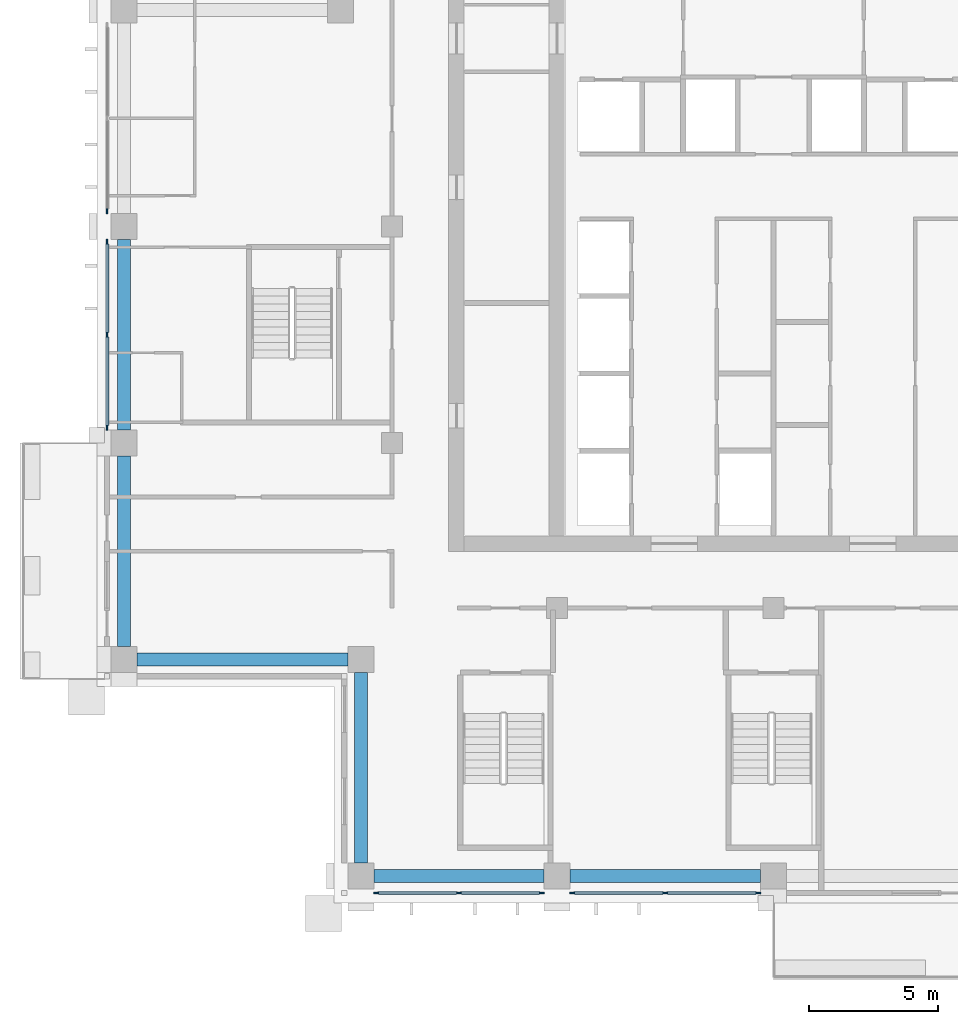
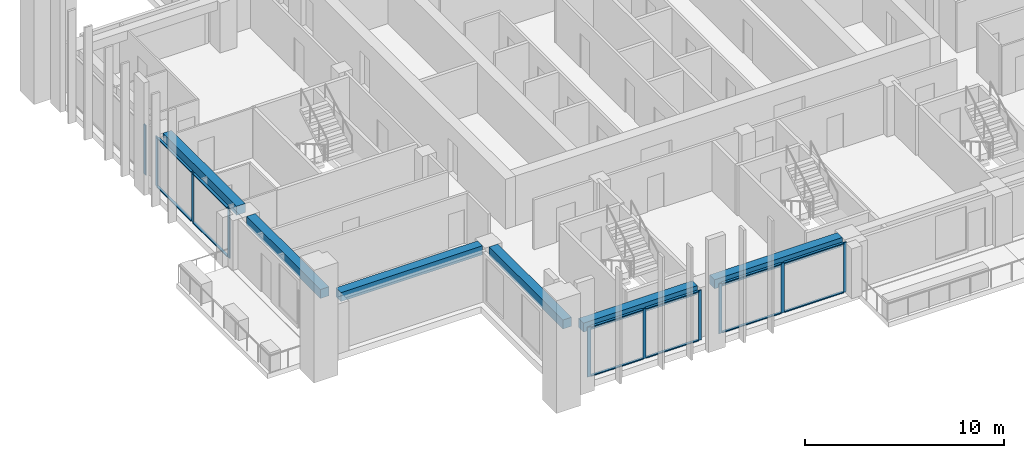
# One storey, part 2 of 18: 22 members, 6 beams, 4 elements without a shape of their own.
"""IFC4 building model written with IfcOpenShell, lengths in metres."""

from ifc_helpers import new_model, si_unit, direction, frame, origin, origin_2d, place, context, subcontext, project, spatial, rectangle, extrude, material, material_profile, profile_set, type_object, element, aggregate, save


model = new_model("IFC4")

# Units and contexts
model_context = context("Model", 3, precision=1e-05, world=origin(), true_north=direction((0.0, 1.0)))
body_context = subcontext(model_context, "Body", "Model", "MODEL_VIEW")
ifc_project = project(units=[si_unit("LENGTHUNIT", "METRE"), si_unit("AREAUNIT", "SQUARE_METRE"), si_unit("VOLUMEUNIT", "CUBIC_METRE"), si_unit("PLANEANGLEUNIT", "RADIAN"), si_unit("MASSUNIT", "GRAM", prefix="KILO")], contexts=[model_context])

# Site, building, storey
site_placement = place(None, origin())
site = spatial("IfcSite", under=ifc_project, at=site_placement, CompositionType="ELEMENT")
building_placement = place(site_placement, origin())
building = spatial("IfcBuilding", under=site, at=building_placement, Name="Vermilion Ogive Tower", CompositionType="ELEMENT")
storey_placement = place(building_placement, frame((0.0, 0.0, 185.89990234375)))
storey = spatial("IfcBuildingStorey", under=building, at=storey_placement, Name="L48", CompositionType="ELEMENT", Elevation=185.89990234375)

# Curtain wall, members
ifc_material_1 = material(Name="Low-iron laminated glazing in aluminium frame", Category="aluminium")
curtain_wall_type = type_object("IfcCurtainWallType", Name="Curtain wall CW7", PredefinedType="NOTDEFINED", material=ifc_material_1)
curtain_wall_1_placement = place(storey_placement, origin())
curtain_wall_1 = element("IfcCurtainWall", 1, at=curtain_wall_1_placement, inside=storey, type_object=curtain_wall_type, Name="Glazed skin S1", PredefinedType="NOTDEFINED")
ifc_material_2 = material(Name="Aluminium mullion", Category="aluminium")
ifc_material_profile_1 = material_profile(ifc_material_2, rectangle(XDim=0.06005859375, YDim=0.179931640625, at=origin_2d()), Name="AL 60x180")
ifc_profile_set_1 = profile_set([ifc_material_profile_1], Name="Aluminium mullion")
member_type_1 = type_object("IfcMemberType", Name="CW7 mullion 60x180", PredefinedType="MULLION", material=ifc_profile_set_1)
member_1_placement = place(storey_placement, frame((-15.409912109375, -21.64990234375, 0.0), z_axis=(0.0, 0.0, 1.0), x_axis=(0.0, 1.0, 0.0)))
member_1 = element("IfcMember", 2, at=member_1_placement, type_object=member_type_1, Name="CW7-S1 mullion 1", PredefinedType="MULLION", context=body_context, shape_type="SweptSolid", body=[
    extrude(rectangle(XDim=0.06005859375, YDim=0.179931640625, at=origin_2d()), origin(), (0.0, 0.0, 1.0), 3.050048828125),
])
member_2_placement = place(storey_placement, frame((-12.199951171875, -21.64990234375, 0.0), z_axis=(0.0, 0.0, 1.0), x_axis=(0.0, 1.0, 0.0)))
member_2 = element("IfcMember", 3, at=member_2_placement, type_object=member_type_1, Name="CW7-S1 mullion 2", PredefinedType="MULLION", context=body_context, shape_type="SweptSolid", body=[
    extrude(rectangle(XDim=0.06005859375, YDim=0.179931640625, at=origin_2d()), origin(), (0.0, 0.0, 1.0), 3.050048828125),
])
member_3_placement = place(storey_placement, frame((-8.989990234375, -21.64990234375, 0.0), z_axis=(0.0, 0.0, 1.0), x_axis=(0.0, 1.0, 0.0)))
member_3 = element("IfcMember", 4, at=member_3_placement, type_object=member_type_1, Name="CW7-S1 mullion 3", PredefinedType="MULLION", context=body_context, shape_type="SweptSolid", body=[
    extrude(rectangle(XDim=0.06005859375, YDim=0.179931640625, at=origin_2d()), origin(), (0.0, 0.0, 1.0), 3.050048828125),
])

curtain_wall_2_placement = place(storey_placement, origin())
curtain_wall_2 = element("IfcCurtainWall", 5, at=curtain_wall_2_placement, inside=storey, type_object=curtain_wall_type, Name="Glazed skin S2", PredefinedType="NOTDEFINED")
member_4_placement = place(storey_placement, frame((-7.81005859375, -21.64990234375, 0.0), z_axis=(0.0, 0.0, 1.0), x_axis=(0.0, 1.0, 0.0)))
member_4 = element("IfcMember", 6, at=member_4_placement, type_object=member_type_1, Name="CW7-S2 mullion 1", PredefinedType="MULLION", context=body_context, shape_type="SweptSolid", body=[
    extrude(rectangle(XDim=0.06005859375, YDim=0.179931640625, at=origin_2d()), origin(), (0.0, 0.0, 1.0), 3.050048828125),
])
member_5_placement = place(storey_placement, frame((-4.199951171875, -21.64990234375, 0.0), z_axis=(0.0, 0.0, 1.0), x_axis=(0.0, 1.0, 0.0)))
member_5 = element("IfcMember", 7, at=member_5_placement, type_object=member_type_1, Name="CW7-S2 mullion 2", PredefinedType="MULLION", context=body_context, shape_type="SweptSolid", body=[
    extrude(rectangle(XDim=0.06005859375, YDim=0.179931640625, at=origin_2d()), origin(), (0.0, 0.0, 1.0), 3.050048828125),
])
member_6_placement = place(storey_placement, frame((-0.590087890625, -21.64990234375, 0.0), z_axis=(0.0, 0.0, 1.0), x_axis=(0.0, 1.0, 0.0)))
member_6 = element("IfcMember", 8, at=member_6_placement, type_object=member_type_1, Name="CW7-S2 mullion 3", PredefinedType="MULLION", context=body_context, shape_type="SweptSolid", body=[
    extrude(rectangle(XDim=0.06005859375, YDim=0.179931640625, at=origin_2d()), origin(), (0.0, 0.0, 1.0), 3.050048828125),
])

# Curtain wall, member
curtain_wall_3_placement = place(storey_placement, origin())
curtain_wall_3 = element("IfcCurtainWall", 9, at=curtain_wall_3_placement, inside=storey, type_object=curtain_wall_type, Name="Glazed skin W1", PredefinedType="NOTDEFINED")
member_7_placement = place(storey_placement, frame((-25.85009765625, 4.7900390625, 0.0), z_axis=(0.0, 0.0, 1.0), x_axis=(1.0, 0.0, 0.0)))
member_7 = element("IfcMember", 10, at=member_7_placement, type_object=member_type_1, Name="CW7-W1 mullion 3", PredefinedType="MULLION", context=body_context, shape_type="SweptSolid", body=[
    extrude(rectangle(XDim=0.06005859375, YDim=0.179931640625, at=origin_2d()), origin(), (0.0, 0.0, 1.0), 3.050048828125),
])
aggregate(curtain_wall_3, [member_7])

# Curtain wall, members
curtain_wall_4_placement = place(storey_placement, origin())
curtain_wall_4 = element("IfcCurtainWall", 11, at=curtain_wall_4_placement, inside=storey, type_object=curtain_wall_type, Name="Glazed skin W2", PredefinedType="NOTDEFINED")
member_8_placement = place(storey_placement, frame((-25.85009765625, 3.610107421875, 0.0), z_axis=(0.0, 0.0, 1.0), x_axis=(1.0, 0.0, 0.0)))
member_8 = element("IfcMember", 12, at=member_8_placement, type_object=member_type_1, Name="CW7-W2 mullion 1", PredefinedType="MULLION", context=body_context, shape_type="SweptSolid", body=[
    extrude(rectangle(XDim=0.06005859375, YDim=0.179931640625, at=origin_2d()), origin(), (0.0, 0.0, 1.0), 3.050048828125),
])
member_9_placement = place(storey_placement, frame((-25.85009765625, 0.0, 0.0), z_axis=(0.0, 0.0, 1.0), x_axis=(1.0, 0.0, 0.0)))
member_9 = element("IfcMember", 13, at=member_9_placement, type_object=member_type_1, Name="CW7-W2 mullion 2", PredefinedType="MULLION", context=body_context, shape_type="SweptSolid", body=[
    extrude(rectangle(XDim=0.06005859375, YDim=0.179931640625, at=origin_2d()), origin(), (0.0, 0.0, 1.0), 3.050048828125),
])
member_10_placement = place(storey_placement, frame((-25.85009765625, -3.610107421875, 0.0), z_axis=(0.0, 0.0, 1.0), x_axis=(1.0, 0.0, 0.0)))
member_10 = element("IfcMember", 14, at=member_10_placement, type_object=member_type_1, Name="CW7-W2 mullion 3", PredefinedType="MULLION", context=body_context, shape_type="SweptSolid", body=[
    extrude(rectangle(XDim=0.06005859375, YDim=0.179931640625, at=origin_2d()), origin(), (0.0, 0.0, 1.0), 3.050048828125),
])

# Member
ifc_material_3 = material(Name="Aluminium transom", Category="aluminium")
ifc_material_profile_2 = material_profile(ifc_material_3, rectangle(XDim=0.139892578125, YDim=0.06005859375, at=origin_2d()), Name="AL 60x140")
ifc_profile_set_2 = profile_set([ifc_material_profile_2], Name="Aluminium transom")
member_type_2 = type_object("IfcMemberType", Name="CW7 transom 60x140", PredefinedType="USERDEFINED", material=ifc_profile_set_2)
member_11_placement = place(storey_placement, frame((-15.320068359375, -21.64990234375, 0.030029296875), z_axis=(1.0, 0.0, 0.0), x_axis=(0.0, 1.0, 0.0)))
member_11 = element("IfcMember", 15, at=member_11_placement, type_object=member_type_2, Name="CW7-S1 transom 1.1", ObjectType="TRANSOM", PredefinedType="USERDEFINED", context=body_context, shape_type="SweptSolid", body=[
    extrude(rectangle(XDim=0.139892578125, YDim=0.06005859375, at=origin_2d()), origin(), (0.0, 0.0, 1.0), 3.030029296875),
])

member_12_placement = place(storey_placement, frame((-15.320068359375, -21.64990234375, 3.02001953125), z_axis=(1.0, 0.0, 0.0), x_axis=(0.0, 1.0, 0.0)))
member_12 = element("IfcMember", 16, at=member_12_placement, type_object=member_type_2, Name="CW7-S1 transom 1.2", ObjectType="TRANSOM", PredefinedType="USERDEFINED", context=body_context, shape_type="SweptSolid", body=[
    extrude(rectangle(XDim=0.139892578125, YDim=0.06005859375, at=origin_2d()), origin(), (0.0, 0.0, 1.0), 3.030029296875),
])

member_13_placement = place(storey_placement, frame((-12.110107421875, -21.64990234375, 0.030029296875), z_axis=(1.0, 0.0, 0.0), x_axis=(0.0, 1.0, 0.0)))
member_13 = element("IfcMember", 17, at=member_13_placement, type_object=member_type_2, Name="CW7-S1 transom 2.1", ObjectType="TRANSOM", PredefinedType="USERDEFINED", context=body_context, shape_type="SweptSolid", body=[
    extrude(rectangle(XDim=0.139892578125, YDim=0.06005859375, at=origin_2d()), origin(), (0.0, 0.0, 1.0), 3.030029296875),
])

member_14_placement = place(storey_placement, frame((-12.110107421875, -21.64990234375, 3.02001953125), z_axis=(1.0, 0.0, 0.0), x_axis=(0.0, 1.0, 0.0)))
member_14 = element("IfcMember", 18, at=member_14_placement, type_object=member_type_2, Name="CW7-S1 transom 2.2", ObjectType="TRANSOM", PredefinedType="USERDEFINED", context=body_context, shape_type="SweptSolid", body=[
    extrude(rectangle(XDim=0.139892578125, YDim=0.06005859375, at=origin_2d()), origin(), (0.0, 0.0, 1.0), 3.030029296875),
])

aggregate(curtain_wall_1, [member_1, member_2, member_3, member_11, member_12, member_13, member_14])

member_15_placement = place(storey_placement, frame((-7.719970703125, -21.64990234375, 0.030029296875), z_axis=(1.0, 0.0, 0.0), x_axis=(0.0, 1.0, 0.0)))
member_15 = element("IfcMember", 19, at=member_15_placement, type_object=member_type_2, Name="CW7-S2 transom 1.1", ObjectType="TRANSOM", PredefinedType="USERDEFINED", context=body_context, shape_type="SweptSolid", body=[
    extrude(rectangle(XDim=0.139892578125, YDim=0.06005859375, at=origin_2d()), origin(), (0.0, 0.0, 1.0), 3.429931640625),
])

member_16_placement = place(storey_placement, frame((-7.719970703125, -21.64990234375, 3.02001953125), z_axis=(1.0, 0.0, 0.0), x_axis=(0.0, 1.0, 0.0)))
member_16 = element("IfcMember", 20, at=member_16_placement, type_object=member_type_2, Name="CW7-S2 transom 1.2", ObjectType="TRANSOM", PredefinedType="USERDEFINED", context=body_context, shape_type="SweptSolid", body=[
    extrude(rectangle(XDim=0.139892578125, YDim=0.06005859375, at=origin_2d()), origin(), (0.0, 0.0, 1.0), 3.429931640625),
])

member_17_placement = place(storey_placement, frame((-4.110107421875, -21.64990234375, 0.030029296875), z_axis=(1.0, 0.0, 0.0), x_axis=(0.0, 1.0, 0.0)))
member_17 = element("IfcMember", 21, at=member_17_placement, type_object=member_type_2, Name="CW7-S2 transom 2.1", ObjectType="TRANSOM", PredefinedType="USERDEFINED", context=body_context, shape_type="SweptSolid", body=[
    extrude(rectangle(XDim=0.139892578125, YDim=0.06005859375, at=origin_2d()), origin(), (0.0, 0.0, 1.0), 3.43017578125),
])

member_18_placement = place(storey_placement, frame((-4.110107421875, -21.64990234375, 3.02001953125), z_axis=(1.0, 0.0, 0.0), x_axis=(0.0, 1.0, 0.0)))
member_18 = element("IfcMember", 22, at=member_18_placement, type_object=member_type_2, Name="CW7-S2 transom 2.2", ObjectType="TRANSOM", PredefinedType="USERDEFINED", context=body_context, shape_type="SweptSolid", body=[
    extrude(rectangle(XDim=0.139892578125, YDim=0.06005859375, at=origin_2d()), origin(), (0.0, 0.0, 1.0), 3.43017578125),
])

aggregate(curtain_wall_2, [member_4, member_5, member_6, member_15, member_16, member_17, member_18])

member_19_placement = place(storey_placement, frame((-25.85009765625, 3.52001953125, 0.030029296875), z_axis=(0.0, -1.0, 0.0), x_axis=(1.0, 0.0, 0.0)))
member_19 = element("IfcMember", 23, at=member_19_placement, type_object=member_type_2, Name="CW7-W2 transom 1.1", ObjectType="TRANSOM", PredefinedType="USERDEFINED", context=body_context, shape_type="SweptSolid", body=[
    extrude(rectangle(XDim=0.139892578125, YDim=0.06005859375, at=origin_2d()), origin(), (0.0, 0.0, 1.0), 3.429931640625),
])

member_20_placement = place(storey_placement, frame((-25.85009765625, 3.52001953125, 3.02001953125), z_axis=(0.0, -1.0, 0.0), x_axis=(1.0, 0.0, 0.0)))
member_20 = element("IfcMember", 24, at=member_20_placement, type_object=member_type_2, Name="CW7-W2 transom 1.2", ObjectType="TRANSOM", PredefinedType="USERDEFINED", context=body_context, shape_type="SweptSolid", body=[
    extrude(rectangle(XDim=0.139892578125, YDim=0.06005859375, at=origin_2d()), origin(), (0.0, 0.0, 1.0), 3.429931640625),
])

member_21_placement = place(storey_placement, frame((-25.85009765625, -0.090087890625, 0.030029296875), z_axis=(0.0, -1.0, 0.0), x_axis=(1.0, 0.0, 0.0)))
member_21 = element("IfcMember", 25, at=member_21_placement, type_object=member_type_2, Name="CW7-W2 transom 2.1", ObjectType="TRANSOM", PredefinedType="USERDEFINED", context=body_context, shape_type="SweptSolid", body=[
    extrude(rectangle(XDim=0.139892578125, YDim=0.06005859375, at=origin_2d()), origin(), (0.0, 0.0, 1.0), 3.429931640625),
])

member_22_placement = place(storey_placement, frame((-25.85009765625, -0.090087890625, 3.02001953125), z_axis=(0.0, -1.0, 0.0), x_axis=(1.0, 0.0, 0.0)))
member_22 = element("IfcMember", 26, at=member_22_placement, type_object=member_type_2, Name="CW7-W2 transom 2.2", ObjectType="TRANSOM", PredefinedType="USERDEFINED", context=body_context, shape_type="SweptSolid", body=[
    extrude(rectangle(XDim=0.139892578125, YDim=0.06005859375, at=origin_2d()), origin(), (0.0, 0.0, 1.0), 3.429931640625),
])

aggregate(curtain_wall_4, [member_8, member_9, member_10, member_19, member_20, member_21, member_22])

# Beams
ifc_material_4 = material(Name="Concrete B45", Category="concrete")
ifc_material_profile_3 = material_profile(ifc_material_4, rectangle(XDim=0.5, YDim=0.550048828125, at=origin_2d()), Name="500 x 550")
ifc_profile_set_3 = profile_set([ifc_material_profile_3], Name="Concrete B45")
beam_type = type_object("IfcBeamType", Name="Edge beam 500 x 550 B45", PredefinedType="BEAM", material=ifc_profile_set_3)
beam_1_placement = place(storey_placement, frame((-15.5, -21.0, 2.775146484375), z_axis=(1.0, 0.0, 0.0), x_axis=(0.0, 1.0, 0.0)))
element("IfcBeam", 27, at=beam_1_placement, inside=storey, type_object=beam_type, Name="L48-EB-1", PredefinedType="BEAM", context=body_context, shape_type="SweptSolid", body=[
    extrude(rectangle(XDim=0.5, YDim=0.550048828125, at=origin_2d()), origin(), (0.0, 0.0, 1.0), 6.60009765625),
])
for number, where, z_axis, x_axis, name in (
    (28, (-7.89990234375, -21.0, 2.775146484375), (1.0, 0.0, 0.0), (0.0, 1.0, 0.0), "L48-EB-2"),
    (29, (-25.199951171875, 3.699951171875, 2.775146484375), (0.0, -1.0, 0.0), (1.0, 0.0, 0.0), "L48-EB-15"),
):
    element("IfcBeam", number, at=place(storey_placement, frame(where, z_axis=z_axis, x_axis=x_axis)), inside=storey, type_object=beam_type, Name=name, PredefinedType="BEAM", context=body_context, shape_type="SweptSolid", body=[
        extrude(rectangle(XDim=0.5, YDim=0.550048828125, at=origin_2d()), origin(), (0.0, 0.0, 1.0), 7.39990234375),
    ])
beam_2_placement = place(storey_placement, frame((-25.199951171875, -4.699951171875, 2.775146484375), z_axis=(0.0, -1.0, 0.0), x_axis=(1.0, 0.0, 0.0)))
element("IfcBeam", 30, at=beam_2_placement, inside=storey, type_object=beam_type, Name="L48-EB-16", PredefinedType="BEAM", context=body_context, shape_type="SweptSolid", body=[
    extrude(rectangle(XDim=0.5, YDim=0.550048828125, at=origin_2d()), origin(), (0.0, 0.0, 1.0), 7.400146484375),
])
beam_3_placement = place(storey_placement, frame((-24.699951171875, -12.60009765625, 2.775146484375), z_axis=(1.0, 0.0, 0.0), x_axis=(0.0, 1.0, 0.0)))
element("IfcBeam", 31, at=beam_3_placement, inside=storey, type_object=beam_type, Name="L48-EB-17", PredefinedType="BEAM", context=body_context, shape_type="SweptSolid", body=[
    extrude(rectangle(XDim=0.5, YDim=0.550048828125, at=origin_2d()), origin(), (0.0, 0.0, 1.0), 8.199951171875),
])
beam_4_placement = place(storey_placement, frame((-16.0, -13.10009765625, 2.775146484375), z_axis=(0.0, -1.0, 0.0), x_axis=(1.0, 0.0, 0.0)))
element("IfcBeam", 32, at=beam_4_placement, inside=storey, type_object=beam_type, Name="L48-EB-18", PredefinedType="BEAM", context=body_context, shape_type="SweptSolid", body=[
    extrude(rectangle(XDim=0.5, YDim=0.550048828125, at=origin_2d()), origin(), (0.0, 0.0, 1.0), 7.39990234375),
])

save(model, "model.ifc")
